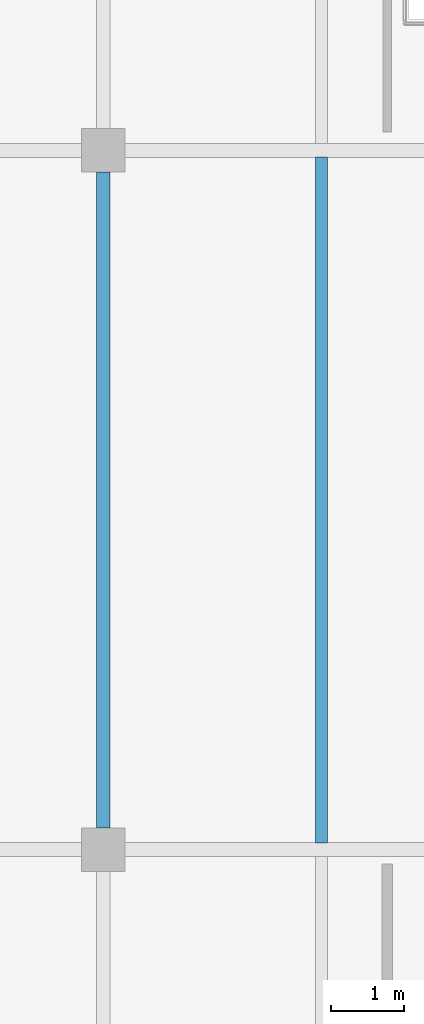
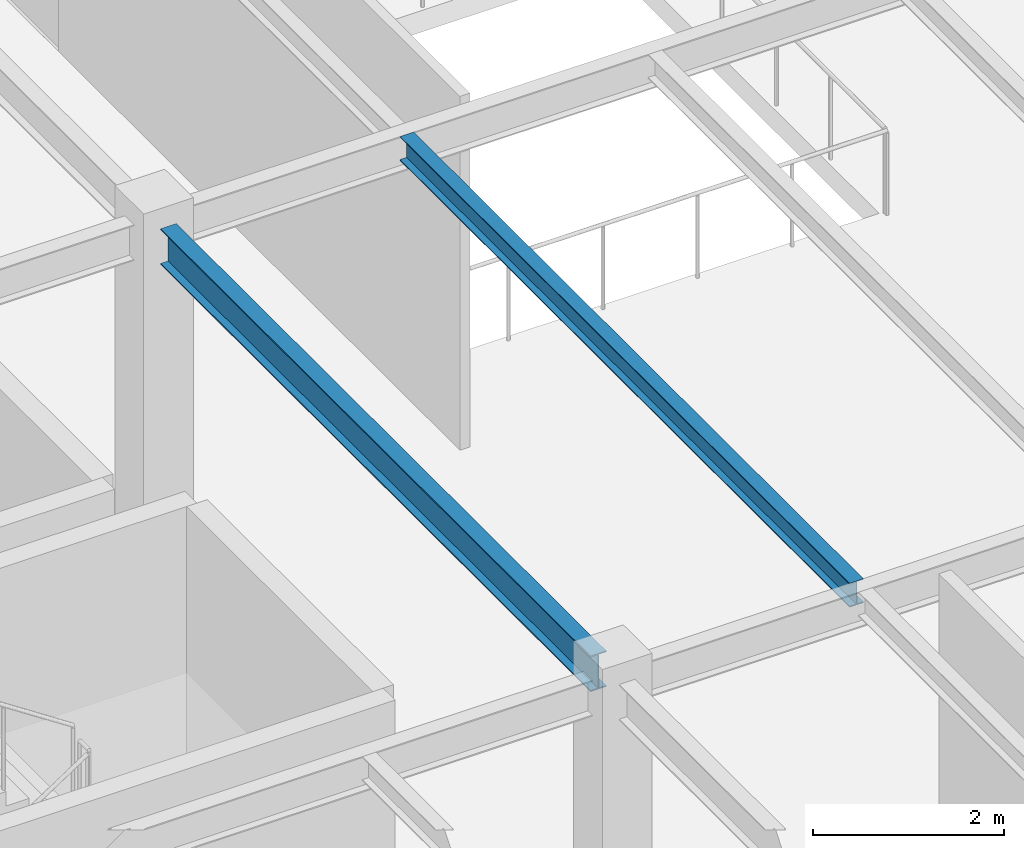
# One storey, part 145 of 236: 2 beams.
"""IFC4 building model written with IfcOpenShell, lengths in metres."""

from ifc_helpers import new_model, si_unit, direction, frame, origin, origin_2d, place, context, subcontext, project, spatial, i_section, extrude, material, material_profile, profile_set, type_object, element, save


model = new_model("IFC4")

# Units and contexts
model_context = context("Model", 3, precision=1e-05, world=origin(), true_north=direction((0.0, 1.0)))
body_context = subcontext(model_context, "Body", "Model", "MODEL_VIEW")
ifc_project = project(units=[si_unit("LENGTHUNIT", "METRE"), si_unit("AREAUNIT", "SQUARE_METRE"), si_unit("VOLUMEUNIT", "CUBIC_METRE"), si_unit("PLANEANGLEUNIT", "RADIAN"), si_unit("MASSUNIT", "GRAM", prefix="KILO")], contexts=[model_context])

# Site, building, storey
site_placement = place(None, origin())
site = spatial("IfcSite", under=ifc_project, at=site_placement, CompositionType="ELEMENT")
building_placement = place(site_placement, origin())
building = spatial("IfcBuilding", under=site, at=building_placement, Name="Pandanus Reach Market Hall", CompositionType="ELEMENT")
storey_placement = place(building_placement, frame((0.0, 0.0, 5.39990234375)))
storey = spatial("IfcBuildingStorey", under=building, at=storey_placement, Name="L01", CompositionType="ELEMENT", Elevation=5.39990234375)

# Beams
ifc_material = material(Name="Steel Grade 350 (350 MPa)", Category="steel")
ifc_material_profile_1 = material_profile(ifc_material, i_section(OverallWidth=0.18994140625, OverallDepth=0.45703125, WebThickness=0.009033203125, FlangeThickness=0.014404296875, at=origin_2d()), Name="460UB74.6", Category="LoadBearing")
ifc_profile_set_1 = profile_set([ifc_material_profile_1], Name="Steel Grade 350 (350 MPa)")
beam_type_1 = type_object("IfcBeamType", Name="BM-UB460-I", PredefinedType="BEAM", material=ifc_profile_set_1)
beam_1_placement = place(storey_placement, frame((156.0, 48.298095703125, 4.311279296875), z_axis=(0.0, 1.0, 0.0), x_axis=(-1.0, 0.0, 0.0)))
element("IfcBeam", 1, at=beam_1_placement, inside=storey, type_object=beam_type_1, Name="Framing beam BM-UB460-I L01.349", PredefinedType="BEAM", context=body_context, shape_type="SweptSolid", body=[
    extrude(i_section(OverallWidth=0.18994140625, OverallDepth=0.45703125, WebThickness=0.009033203125, FlangeThickness=0.014404296875, at=origin_2d()), origin(), (0.0, 0.0, 1.0), 9.00390625),
])
ifc_material_profile_2 = material_profile(ifc_material, i_section(OverallWidth=0.166015625, OverallDepth=0.306884765625, WebThickness=0.006591796875, FlangeThickness=0.01171875, at=origin_2d()), Name="310UB46.2", Category="LoadBearing")
ifc_profile_set_2 = profile_set([ifc_material_profile_2], Name="Steel Grade 350 (350 MPa)")
beam_type_2 = type_object("IfcBeamType", Name="JS-UB310H-I", PredefinedType="JOIST", material=ifc_profile_set_2)
beam_2_placement = place(storey_placement, frame((159.0, 48.093017578125, 4.38623046875), z_axis=(0.0, 1.0, 0.0), x_axis=(-1.0, 0.0, 0.0)))
element("IfcBeam", 2, at=beam_2_placement, inside=storey, type_object=beam_type_2, Name="Secondary joist JS-UB310H-I L01.403", PredefinedType="JOIST", context=body_context, shape_type="SweptSolid", body=[
    extrude(i_section(OverallWidth=0.166015625, OverallDepth=0.306884765625, WebThickness=0.006591796875, FlangeThickness=0.01171875, at=origin_2d()), origin(), (0.0, 0.0, 1.0), 9.4140625),
])

save(model, "model.ifc")
